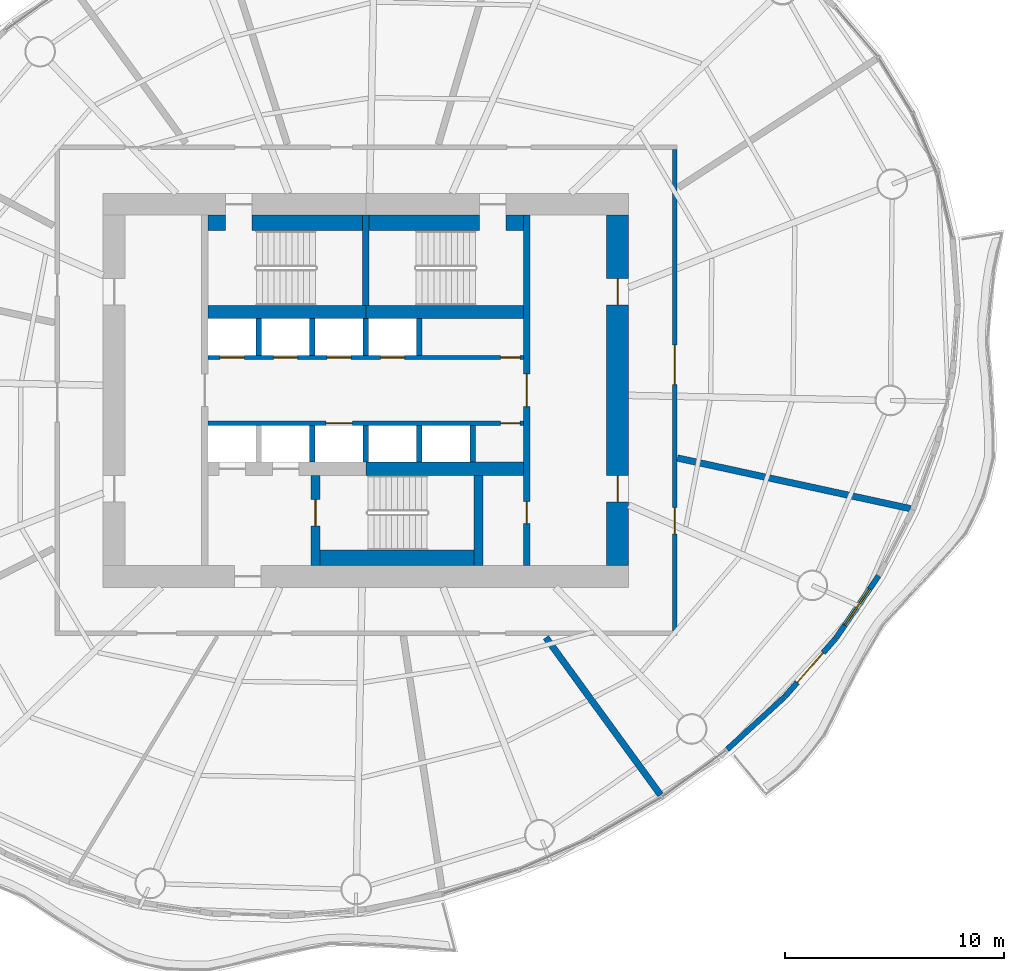
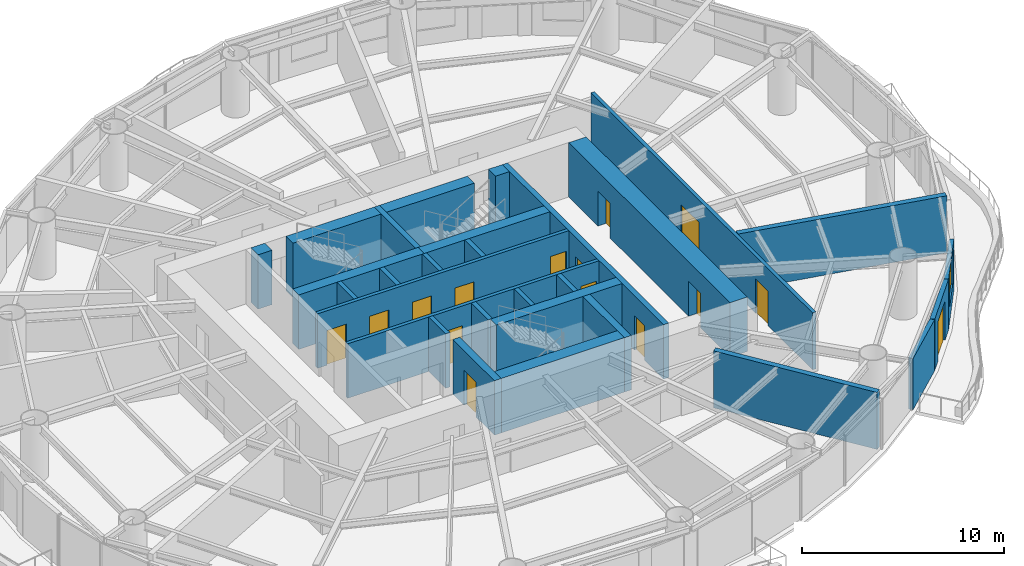
# One storey, part 9 of 14: 29 walls, 15 doors, 1 window, 16 openings.
"""IFC4 building model written with IfcOpenShell, lengths in metres."""

from ifc_helpers import new_model, si_unit, direction, frame, frame_2d, origin, place, context, subcontext, project, spatial, rectangle, extrude, material, layer, layer_set, type_object, element, fill, save


model = new_model("IFC4")

# Units and contexts
model_context = context("Model", 3, precision=1e-05, world=origin(), true_north=direction((0.0, 1.0)))
body_context = subcontext(model_context, "Body", "Model", "MODEL_VIEW")
ifc_project = project(units=[si_unit("LENGTHUNIT", "METRE"), si_unit("AREAUNIT", "SQUARE_METRE"), si_unit("VOLUMEUNIT", "CUBIC_METRE"), si_unit("PLANEANGLEUNIT", "RADIAN"), si_unit("MASSUNIT", "GRAM", prefix="KILO")], contexts=[model_context])

# Site, building, storey
site_placement = place(None, origin())
site = spatial("IfcSite", under=ifc_project, at=site_placement, CompositionType="ELEMENT")
building_placement = place(site_placement, origin())
building = spatial("IfcBuilding", under=site, at=building_placement, Name="Vermilion Reach Broadcast Tower", CompositionType="ELEMENT")
storey_placement = place(building_placement, frame((0.0, 0.0, 143.39990234375)))
storey = spatial("IfcBuildingStorey", under=building, at=storey_placement, Name="L33", CompositionType="ELEMENT", Elevation=143.39990234375)

# Wall, openings, doors
ifc_material_1 = material(Name="Concrete C70", Category="concrete")
ifc_layer_1 = layer(ifc_material_1, 0.300048828125)
ifc_layer_set_1 = layer_set([ifc_layer_1], Name="Core inner wall 300 mm Concrete C70")
wall_type_1 = type_object("IfcWallType", Name="Core inner wall 300 mm Concrete C70", PredefinedType="SHEAR", material=ifc_layer_set_1)
wall_1_placement = place(storey_placement, frame((1.35009765625, -8.0, 0.0), z_axis=(0.0, 0.0, 1.0), x_axis=(0.0, 1.0, 0.0)))
wall_1 = element("IfcWall", 1, at=wall_1_placement, inside=storey, type_object=wall_type_1, Name="L33 core wall ewE", PredefinedType="SHEAR", context=body_context, shape_type="SweptSolid", body=[
    extrude(rectangle(XDim=16.0, YDim=0.300048828125, at=frame_2d((8.0, 0.0))), origin(), (0.0, 0.0, 1.0), 3.300048828125),
])
opening_1_placement = place(wall_1_placement, frame((1.909912109375, 0.0, 0.0)))
opening_1 = element("IfcOpeningElement", 2, at=opening_1_placement, cuts=wall_1, Name="Opening D05", PredefinedType="OPENING", context=body_context, shape_type="SweptSolid", body=[
    extrude(rectangle(XDim=1.0, YDim=2.10009765625, at=frame_2d((0.5, 1.050048828125))), frame((0.0, 0.159912109375, 0.0), z_axis=(0.0, -1.0, 0.0), x_axis=(1.0, 0.0, 0.0)), (0.0, 0.0, 1.0), 0.320068359375),
])
opening_2_placement = place(wall_1_placement, frame((7.25, 0.0, 0.0)))
opening_2 = element("IfcOpeningElement", 3, at=opening_2_placement, cuts=wall_1, Name="Opening D04", PredefinedType="OPENING", context=body_context, shape_type="SweptSolid", body=[
    extrude(rectangle(XDim=1.5, YDim=2.10009765625, at=frame_2d((0.75, 1.050048828125))), frame((0.0, 0.159912109375, 0.0), z_axis=(0.0, -1.0, 0.0), x_axis=(1.0, 0.0, 0.0)), (0.0, 0.0, 1.0), 0.320068359375),
])
ifc_material_2 = material(Name="Painted steel fire door", Category="steel")
door_type_1 = type_object("IfcDoorType", Name="Lift lobby door 1500 x 2100", OperationType="DOUBLE_DOOR_SINGLE_SWING", PredefinedType="NOTDEFINED", material=ifc_material_2)
door_1_placement = place(opening_2_placement, origin())
door_1 = element("IfcDoor", 4, at=door_1_placement, inside=storey, type_object=door_type_1, Name="L33 band door BE", OperationType="DOUBLE_DOOR_SINGLE_SWING", OverallHeight=2.10009765625, OverallWidth=1.5, PredefinedType="NOTDEFINED", context=body_context, shape_type="SweptSolid", body=[
    extrude(rectangle(XDim=1.5, YDim=2.10009765625, at=frame_2d((0.75, 1.050048828125))), frame((0.0, 0.02490234375, 0.0), z_axis=(0.0, -1.0, 0.0), x_axis=(1.0, 0.0, 0.0)), (0.0, 0.0, 1.0), 0.050048828125),
])
fill(opening_2, door_1)
ifc_material_3 = material(Name="Timber door", Category="wood")
door_type_2 = type_object("IfcDoorType", Name="Room door 1000 x 2100", OperationType="NOTDEFINED", PredefinedType="NOTDEFINED", material=ifc_material_3)
door_2_placement = place(opening_1_placement, origin())
door_2 = element("IfcDoor", 5, at=door_2_placement, inside=storey, type_object=door_type_2, Name="L33 door SER", OperationType="SINGLE_SWING_LEFT", OverallHeight=2.10009765625, OverallWidth=1.0, PredefinedType="NOTDEFINED", context=body_context, shape_type="SweptSolid", body=[
    extrude(rectangle(XDim=1.0, YDim=2.10009765625, at=frame_2d((0.5, 1.050048828125))), frame((0.0, 0.02490234375, 0.0), z_axis=(0.0, -1.0, 0.0), x_axis=(1.0, 0.0, 0.0)), (0.0, 0.0, 1.0), 0.050048828125),
])
fill(opening_1, door_2)

# Wall
wall_2_placement = place(storey_placement, frame((-6.0, 3.8798828125, 0.0), z_axis=(0.0, 0.0, 1.0), x_axis=(0.0, 1.0, 0.0)))
element("IfcWall", 6, at=wall_2_placement, inside=storey, type_object=wall_type_1, Name="L33 core wall wc", PredefinedType="SHEAR", context=body_context, shape_type="SweptSolid", body=[
    extrude(rectangle(XDim=4.1201171875, YDim=0.300048828125, at=frame_2d((2.06005859375, 0.0))), origin(), (0.0, 0.0, 1.0), 3.300048828125),
])

# Wall, opening, door
ifc_material_4 = material(Name="Concrete C70", Category="concrete")
ifc_layer_2 = layer(ifc_material_4, 0.39990234375)
ifc_layer_set_2 = layer_set([ifc_layer_2], Name="Core inner wall 400 mm Concrete C70")
wall_type_2 = type_object("IfcWallType", Name="Core inner wall 400 mm Concrete C70", PredefinedType="SHEAR", material=ifc_layer_set_2)
wall_3_placement = place(storey_placement, frame((-8.300048828125, -3.8798828125, 0.0), z_axis=(0.0, 0.0, 1.0), x_axis=(0.0, -1.0, 0.0)))
wall_3 = element("IfcWall", 7, at=wall_3_placement, inside=storey, type_object=wall_type_2, Name="L33 core wall wa", PredefinedType="SHEAR", context=body_context, shape_type="SweptSolid", body=[
    extrude(rectangle(XDim=4.1201171875, YDim=0.39990234375, at=frame_2d((2.06005859375, 0.0))), origin(), (0.0, 0.0, 1.0), 3.300048828125),
])
opening_3_placement = place(wall_3_placement, frame((1.110107421875, 0.0, 0.0)))
opening_3 = element("IfcOpeningElement", 8, at=opening_3_placement, cuts=wall_3, Name="Opening D01", PredefinedType="OPENING", context=body_context, shape_type="SweptSolid", body=[
    extrude(rectangle(XDim=1.199951171875, YDim=2.10009765625, at=frame_2d((0.60009765625, 1.050048828125))), frame((0.0, 0.2099609375, 0.0), z_axis=(0.0, -1.0, 0.0), x_axis=(1.0, 0.0, 0.0)), (0.0, 0.0, 1.0), 0.419921875),
])
ifc_material_5 = material(Name="Painted steel fire door", Category="steel")
door_type_3 = type_object("IfcDoorType", Name="Stair door 1200 x 2100", OperationType="DOUBLE_DOOR_SINGLE_SWING", PredefinedType="NOTDEFINED", material=ifc_material_5)
door_3_placement = place(opening_3_placement, origin())
door_3 = element("IfcDoor", 9, at=door_3_placement, inside=storey, type_object=door_type_3, Name="L33 stair door ST3", OperationType="DOUBLE_DOOR_SINGLE_SWING", OverallHeight=2.10009765625, OverallWidth=1.199951171875, PredefinedType="NOTDEFINED", context=body_context, shape_type="SweptSolid", body=[
    extrude(rectangle(XDim=1.199951171875, YDim=2.10009765625, at=frame_2d((0.60009765625, 1.050048828125))), frame((0.0, 0.02490234375, 0.0), z_axis=(0.0, -1.0, 0.0), x_axis=(1.0, 0.0, 0.0)), (0.0, 0.0, 1.0), 0.050048828125),
])
fill(opening_3, door_3)

# Walls
wall_4_placement = place(storey_placement, frame((-0.85009765625, -3.8798828125, 0.0), z_axis=(0.0, 0.0, 1.0), x_axis=(0.0, -1.0, 0.0)))
element("IfcWall", 10, at=wall_4_placement, inside=storey, type_object=wall_type_2, Name="L33 core wall wb", PredefinedType="SHEAR", context=body_context, shape_type="SweptSolid", body=[
    extrude(rectangle(XDim=4.1201171875, YDim=0.39990234375, at=frame_2d((2.06005859375, 0.0))), origin(), (0.0, 0.0, 1.0), 3.300048828125),
])
ifc_material_6 = material(Name="Concrete C70", Category="concrete")
ifc_layer_3 = layer(ifc_material_6, 0.60009765625)
ifc_layer_set_3 = layer_set([ifc_layer_3], Name="Core inner wall 600 mm Concrete C70")
wall_type_3 = type_object("IfcWallType", Name="Core inner wall 600 mm Concrete C70", PredefinedType="SHEAR", material=ifc_layer_set_3)
for number, where, z_axis, x_axis, name in (
    (11, (-13.199951171875, 3.580078125, 0.0), (0.0, 0.0, 1.0), (1.0, 0.0, 0.0), "L33 core wall winW"),
    (12, (-6.0, 3.580078125, 0.0), (0.0, 0.0, 1.0), (1.0, 0.0, 0.0), "L33 core wall winE"),
    (13, (-6.0, -3.580078125, 0.0), (0.0, 0.0, 1.0), (1.0, 0.0, 0.0), "L33 core wall wisE"),
):
    element("IfcWall", number, at=place(storey_placement, frame(where, z_axis=z_axis, x_axis=x_axis)), inside=storey, type_object=wall_type_3, Name=name, PredefinedType="SHEAR", context=body_context, shape_type="SweptSolid", body=[
        extrude(rectangle(XDim=7.199951171875, YDim=0.60009765625, at=frame_2d((3.60009765625, 0.0))), origin(), (0.0, 0.0, 1.0), 3.300048828125),
    ])

# Wall, openings, doors
ifc_material_7 = material(Name="Concrete C70", Category="concrete")
ifc_layer_4 = layer(ifc_material_7, 1.0)
ifc_layer_set_4 = layer_set([ifc_layer_4], Name="Core outer wall 1000 mm Concrete C70")
wall_type_4 = type_object("IfcWallType", Name="Core outer wall 1000 mm Concrete C70", PredefinedType="SHEAR", material=ifc_layer_set_4)
wall_5_placement = place(storey_placement, frame((5.5, -8.0, 0.0), z_axis=(0.0, 0.0, 1.0), x_axis=(0.0, 1.0, 0.0)))
wall_5 = element("IfcWall", 14, at=wall_5_placement, inside=storey, type_object=wall_type_4, Name="L33 core wall oe", PredefinedType="SHEAR", context=body_context, shape_type="SweptSolid", body=[
    extrude(rectangle(XDim=16.0, YDim=1.0, at=frame_2d((8.0, 0.0))), origin(), (0.0, 0.0, 1.0), 3.300048828125),
])
opening_4_placement = place(wall_5_placement, frame((2.89990234375, 0.0, 0.0)))
opening_4 = element("IfcOpeningElement", 15, at=opening_4_placement, cuts=wall_5, Name="Opening D03", PredefinedType="OPENING", context=body_context, shape_type="SweptSolid", body=[
    extrude(rectangle(XDim=1.199951171875, YDim=2.10009765625, at=frame_2d((0.60009765625, 1.050048828125))), frame((0.0, 0.510009765625, 0.0), z_axis=(0.0, -1.0, 0.0), x_axis=(1.0, 0.0, 0.0)), (0.0, 0.0, 1.0), 1.02001953125),
])
opening_5_placement = place(wall_5_placement, frame((11.89990234375, 0.0, 0.0)))
opening_5 = element("IfcOpeningElement", 16, at=opening_5_placement, cuts=wall_5, Name="Opening D03", PredefinedType="OPENING", context=body_context, shape_type="SweptSolid", body=[
    extrude(rectangle(XDim=1.199951171875, YDim=2.10009765625, at=frame_2d((0.60009765625, 1.050048828125))), frame((0.0, 0.510009765625, 0.0), z_axis=(0.0, -1.0, 0.0), x_axis=(1.0, 0.0, 0.0)), (0.0, 0.0, 1.0), 1.02001953125),
])
ifc_material_8 = material(Name="Painted steel fire door", Category="steel")
door_type_4 = type_object("IfcDoorType", Name="Core lobby door 1200 x 2100", OperationType="DOUBLE_DOOR_SINGLE_SWING", PredefinedType="NOTDEFINED", material=ifc_material_8)
door_4_placement = place(opening_4_placement, origin())
door_4 = element("IfcDoor", 17, at=door_4_placement, inside=storey, type_object=door_type_4, Name="L33 slot door E0", OperationType="DOUBLE_DOOR_SINGLE_SWING", OverallHeight=2.10009765625, OverallWidth=1.199951171875, PredefinedType="NOTDEFINED", context=body_context, shape_type="SweptSolid", body=[
    extrude(rectangle(XDim=1.199951171875, YDim=2.10009765625, at=frame_2d((0.60009765625, 1.050048828125))), frame((0.0, 0.02490234375, 0.0), z_axis=(0.0, -1.0, 0.0), x_axis=(1.0, 0.0, 0.0)), (0.0, 0.0, 1.0), 0.050048828125),
])
fill(opening_4, door_4)
door_5_placement = place(opening_5_placement, origin())
door_5 = element("IfcDoor", 18, at=door_5_placement, inside=storey, type_object=door_type_4, Name="L33 slot door E1", OperationType="DOUBLE_DOOR_SINGLE_SWING", OverallHeight=2.10009765625, OverallWidth=1.199951171875, PredefinedType="NOTDEFINED", context=body_context, shape_type="SweptSolid", body=[
    extrude(rectangle(XDim=1.199951171875, YDim=2.10009765625, at=frame_2d((0.60009765625, 1.050048828125))), frame((0.0, 0.02490234375, 0.0), z_axis=(0.0, -1.0, 0.0), x_axis=(1.0, 0.0, 0.0)), (0.0, 0.0, 1.0), 0.050048828125),
])
fill(opening_5, door_5)

ifc_material_9 = material(Name="Concrete C50", Category="concrete")
ifc_layer_5 = layer(ifc_material_9, 0.199951171875)
ifc_layer_set_5 = layer_set([ifc_layer_5], Name="Core shaft wall 200 mm Concrete C50")
wall_type_5 = type_object("IfcWallType", Name="Core shaft wall 200 mm Concrete C50", PredefinedType="SHEAR", material=ifc_layer_set_5)
wall_6_placement = place(storey_placement, frame((-13.199951171875, 1.5, 0.0), z_axis=(0.0, 0.0, 1.0), x_axis=(1.0, 0.0, 0.0)))
wall_6 = element("IfcWall", 19, at=wall_6_placement, inside=storey, type_object=wall_type_5, Name="L33 core wall fn", PredefinedType="SHEAR", context=body_context, shape_type="SweptSolid", body=[
    extrude(rectangle(XDim=14.39990234375, YDim=0.199951171875, at=frame_2d((7.199951171875, 0.0))), origin(), (0.0, 0.0, 1.0), 3.300048828125),
])
opening_6_placement = place(wall_6_placement, frame((0.5458984375, 0.0, 0.0)))
opening_6 = element("IfcOpeningElement", 20, at=opening_6_placement, cuts=wall_6, Name="Opening LD2", PredefinedType="OPENING", context=body_context, shape_type="SweptSolid", body=[
    extrude(rectangle(XDim=1.10009765625, YDim=2.10009765625, at=frame_2d((0.550048828125, 1.050048828125))), frame((0.0, 0.10986328125, 0.0), z_axis=(0.0, -1.0, 0.0), x_axis=(1.0, 0.0, 0.0)), (0.0, 0.0, 1.0), 0.219970703125),
])
opening_7_placement = place(wall_6_placement, frame((2.987548828125, 0.0, 0.0)))
opening_7 = element("IfcOpeningElement", 21, at=opening_7_placement, cuts=wall_6, Name="Opening LD2", PredefinedType="OPENING", context=body_context, shape_type="SweptSolid", body=[
    extrude(rectangle(XDim=1.10009765625, YDim=2.10009765625, at=frame_2d((0.550048828125, 1.050048828125))), frame((0.0, 0.10986328125, 0.0), z_axis=(0.0, -1.0, 0.0), x_axis=(1.0, 0.0, 0.0)), (0.0, 0.0, 1.0), 0.219970703125),
])
opening_8_placement = place(wall_6_placement, frame((5.42919921875, 0.0, 0.0)))
opening_8 = element("IfcOpeningElement", 22, at=opening_8_placement, cuts=wall_6, Name="Opening LD2", PredefinedType="OPENING", context=body_context, shape_type="SweptSolid", body=[
    extrude(rectangle(XDim=1.10009765625, YDim=2.10009765625, at=frame_2d((0.550048828125, 1.050048828125))), frame((0.0, 0.10986328125, 0.0), z_axis=(0.0, -1.0, 0.0), x_axis=(1.0, 0.0, 0.0)), (0.0, 0.0, 1.0), 0.219970703125),
])
opening_9_placement = place(wall_6_placement, frame((7.870849609375, 0.0, 0.0)))
opening_9 = element("IfcOpeningElement", 23, at=opening_9_placement, cuts=wall_6, Name="Opening LD2", PredefinedType="OPENING", context=body_context, shape_type="SweptSolid", body=[
    extrude(rectangle(XDim=1.10009765625, YDim=2.10009765625, at=frame_2d((0.550048828125, 1.050048828125))), frame((0.0, 0.10986328125, 0.0), z_axis=(0.0, -1.0, 0.0), x_axis=(1.0, 0.0, 0.0)), (0.0, 0.0, 1.0), 0.219970703125),
])
opening_10_placement = place(wall_6_placement, frame((13.35009765625, 0.0, 0.0)))
opening_10 = element("IfcOpeningElement", 24, at=opening_10_placement, cuts=wall_6, Name="Opening D06", PredefinedType="OPENING", context=body_context, shape_type="SweptSolid", body=[
    extrude(rectangle(XDim=0.89990234375, YDim=2.10009765625, at=frame_2d((0.449951171875, 1.050048828125))), frame((0.0, 0.10986328125, 0.0), z_axis=(0.0, -1.0, 0.0), x_axis=(1.0, 0.0, 0.0)), (0.0, 0.0, 1.0), 0.219970703125),
])
ifc_material_10 = material(Name="Stainless steel", Category="steel")
door_type_5 = type_object("IfcDoorType", Name="Landing door 1100 x 2100", OperationType="DOUBLE_DOOR_SLIDING", PredefinedType="NOTDEFINED", material=ifc_material_10)
door_6_placement = place(opening_6_placement, origin())
door_6 = element("IfcDoor", 25, at=door_6_placement, inside=storey, type_object=door_type_5, Name="L33 landing door LR1", OperationType="DOUBLE_DOOR_SLIDING", OverallHeight=2.10009765625, OverallWidth=1.10009765625, PredefinedType="NOTDEFINED", context=body_context, shape_type="SweptSolid", body=[
    extrude(rectangle(XDim=1.10009765625, YDim=2.10009765625, at=frame_2d((0.550048828125, 1.050048828125))), frame((0.0, 0.02490234375, 0.0), z_axis=(0.0, -1.0, 0.0), x_axis=(1.0, 0.0, 0.0)), (0.0, 0.0, 1.0), 0.050048828125),
])
fill(opening_6, door_6)
door_7_placement = place(opening_7_placement, origin())
door_7 = element("IfcDoor", 26, at=door_7_placement, inside=storey, type_object=door_type_5, Name="L33 landing door LR2", OperationType="DOUBLE_DOOR_SLIDING", OverallHeight=2.10009765625, OverallWidth=1.10009765625, PredefinedType="NOTDEFINED", context=body_context, shape_type="SweptSolid", body=[
    extrude(rectangle(XDim=1.10009765625, YDim=2.10009765625, at=frame_2d((0.550048828125, 1.050048828125))), frame((0.0, 0.02490234375, 0.0), z_axis=(0.0, -1.0, 0.0), x_axis=(1.0, 0.0, 0.0)), (0.0, 0.0, 1.0), 0.050048828125),
])
fill(opening_7, door_7)
door_8_placement = place(opening_8_placement, origin())
door_8 = element("IfcDoor", 27, at=door_8_placement, inside=storey, type_object=door_type_5, Name="L33 landing door LR3", OperationType="DOUBLE_DOOR_SLIDING", OverallHeight=2.10009765625, OverallWidth=1.10009765625, PredefinedType="NOTDEFINED", context=body_context, shape_type="SweptSolid", body=[
    extrude(rectangle(XDim=1.10009765625, YDim=2.10009765625, at=frame_2d((0.550048828125, 1.050048828125))), frame((0.0, 0.02490234375, 0.0), z_axis=(0.0, -1.0, 0.0), x_axis=(1.0, 0.0, 0.0)), (0.0, 0.0, 1.0), 0.050048828125),
])
fill(opening_8, door_8)
door_9_placement = place(opening_9_placement, origin())
door_9 = element("IfcDoor", 28, at=door_9_placement, inside=storey, type_object=door_type_5, Name="L33 landing door LR4", OperationType="DOUBLE_DOOR_SLIDING", OverallHeight=2.10009765625, OverallWidth=1.10009765625, PredefinedType="NOTDEFINED", context=body_context, shape_type="SweptSolid", body=[
    extrude(rectangle(XDim=1.10009765625, YDim=2.10009765625, at=frame_2d((0.550048828125, 1.050048828125))), frame((0.0, 0.02490234375, 0.0), z_axis=(0.0, -1.0, 0.0), x_axis=(1.0, 0.0, 0.0)), (0.0, 0.0, 1.0), 0.050048828125),
])
fill(opening_9, door_9)
ifc_material_11 = material(Name="Timber door", Category="wood")
door_type_6 = type_object("IfcDoorType", Name="WC door 900 x 2100", OperationType="NOTDEFINED", PredefinedType="NOTDEFINED", material=ifc_material_11)
door_10_placement = place(opening_10_placement, origin())
door_10 = element("IfcDoor", 29, at=door_10_placement, inside=storey, type_object=door_type_6, Name="L33 door Female WC", OperationType="SINGLE_SWING_RIGHT", OverallHeight=2.10009765625, OverallWidth=0.89990234375, PredefinedType="NOTDEFINED", context=body_context, shape_type="SweptSolid", body=[
    extrude(rectangle(XDim=0.89990234375, YDim=2.10009765625, at=frame_2d((0.449951171875, 1.050048828125))), frame((0.0, 0.02490234375, 0.0), z_axis=(0.0, -1.0, 0.0), x_axis=(1.0, 0.0, 0.0)), (0.0, 0.0, 1.0), 0.050048828125),
])
fill(opening_10, door_10)

wall_7_placement = place(storey_placement, frame((1.199951171875, -1.5, 0.0), z_axis=(0.0, 0.0, 1.0), x_axis=(-1.0, 0.0, 0.0)))
wall_7 = element("IfcWall", 30, at=wall_7_placement, inside=storey, type_object=wall_type_5, Name="L33 core wall fs", PredefinedType="SHEAR", context=body_context, shape_type="SweptSolid", body=[
    extrude(rectangle(XDim=14.39990234375, YDim=0.199951171875, at=frame_2d((7.199951171875, 0.0))), origin(), (0.0, 0.0, 1.0), 3.300048828125),
])
opening_11_placement = place(wall_7_placement, frame((7.82080078125, 0.0, 0.0)))
opening_11 = element("IfcOpeningElement", 31, at=opening_11_placement, cuts=wall_7, Name="Opening LD1", PredefinedType="OPENING", context=body_context, shape_type="SweptSolid", body=[
    extrude(rectangle(XDim=1.199951171875, YDim=2.10009765625, at=frame_2d((0.60009765625, 1.050048828125))), frame((0.0, 0.10986328125, 0.0), z_axis=(0.0, -1.0, 0.0), x_axis=(1.0, 0.0, 0.0)), (0.0, 0.0, 1.0), 0.219970703125),
])
opening_12_placement = place(wall_7_placement, frame((0.14990234375, 0.0, 0.0)))
opening_12 = element("IfcOpeningElement", 32, at=opening_12_placement, cuts=wall_7, Name="Opening D06", PredefinedType="OPENING", context=body_context, shape_type="SweptSolid", body=[
    extrude(rectangle(XDim=0.89990234375, YDim=2.10009765625, at=frame_2d((0.449951171875, 1.050048828125))), frame((0.0, 0.10986328125, 0.0), z_axis=(0.0, -1.0, 0.0), x_axis=(1.0, 0.0, 0.0)), (0.0, 0.0, 1.0), 0.219970703125),
])
ifc_material_12 = material(Name="Stainless steel", Category="steel")
door_type_7 = type_object("IfcDoorType", Name="Landing door 1200 x 2100", OperationType="DOUBLE_DOOR_SLIDING", PredefinedType="NOTDEFINED", material=ifc_material_12)
door_11_placement = place(opening_11_placement, origin())
door_11 = element("IfcDoor", 33, at=door_11_placement, inside=storey, type_object=door_type_7, Name="L33 landing door SV1", OperationType="DOUBLE_DOOR_SLIDING", OverallHeight=2.10009765625, OverallWidth=1.199951171875, PredefinedType="NOTDEFINED", context=body_context, shape_type="SweptSolid", body=[
    extrude(rectangle(XDim=1.199951171875, YDim=2.10009765625, at=frame_2d((0.60009765625, 1.050048828125))), frame((0.0, 0.02490234375, 0.0), z_axis=(0.0, -1.0, 0.0), x_axis=(1.0, 0.0, 0.0)), (0.0, 0.0, 1.0), 0.050048828125),
])
fill(opening_11, door_11)
door_12_placement = place(opening_12_placement, origin())
door_12 = element("IfcDoor", 34, at=door_12_placement, inside=storey, type_object=door_type_6, Name="L33 door Male WC", OperationType="SINGLE_SWING_LEFT", OverallHeight=2.10009765625, OverallWidth=0.89990234375, PredefinedType="NOTDEFINED", context=body_context, shape_type="SweptSolid", body=[
    extrude(rectangle(XDim=0.89990234375, YDim=2.10009765625, at=frame_2d((0.449951171875, 1.050048828125))), frame((0.0, 0.02490234375, 0.0), z_axis=(0.0, -1.0, 0.0), x_axis=(1.0, 0.0, 0.0)), (0.0, 0.0, 1.0), 0.050048828125),
])
fill(opening_12, door_12)

# Walls
ifc_material_13 = material(Name="Concrete C50", Category="concrete")
ifc_layer_6 = layer(ifc_material_13, 0.25)
ifc_layer_set_6 = layer_set([ifc_layer_6], Name="Core shaft wall 250 mm Concrete C50")
wall_type_6 = type_object("IfcWallType", Name="Core shaft wall 250 mm Concrete C50", PredefinedType="SHEAR", material=ifc_layer_set_6)
for number, where, z_axis, x_axis, name in (
    (35, (-10.88330078125, 1.60009765625, 0.0), (0.0, 0.0, 1.0), (0.0, 1.0, 0.0), "L33 core wall psN0"),
    (36, (-8.441650390625, 1.60009765625, 0.0), (0.0, 0.0, 1.0), (0.0, 1.0, 0.0), "L33 core wall psN1"),
    (37, (-6.0, 1.60009765625, 0.0), (0.0, 0.0, 1.0), (0.0, 1.0, 0.0), "L33 core wall psN2"),
    (38, (-3.558349609375, 1.60009765625, 0.0), (0.0, 0.0, 1.0), (0.0, 1.0, 0.0), "L33 core wall psN3"),
    (39, (-8.441650390625, -1.60009765625, 0.0), (0.0, 0.0, 1.0), (0.0, -1.0, 0.0), "L33 core wall psS1"),
    (40, (-6.0, -1.60009765625, 0.0), (0.0, 0.0, 1.0), (0.0, -1.0, 0.0), "L33 core wall psS2"),
    (41, (-3.558349609375, -1.60009765625, 0.0), (0.0, 0.0, 1.0), (0.0, -1.0, 0.0), "L33 core wall psS3"),
    (42, (-1.11669921875, -1.60009765625, 0.0), (0.0, 0.0, 1.0), (0.0, -1.0, 0.0), "L33 core wall psS4"),
):
    element("IfcWall", number, at=place(storey_placement, frame(where, z_axis=z_axis, x_axis=x_axis)), inside=storey, type_object=wall_type_6, Name=name, PredefinedType="SHEAR", context=body_context, shape_type="SweptSolid", body=[
        extrude(rectangle(XDim=1.679931640625, YDim=0.25, at=frame_2d((0.83984375, 0.0))), origin(), (0.0, 0.0, 1.0), 3.300048828125),
    ])
ifc_material_14 = material(Name="Concrete C70", Category="concrete")
ifc_layer_7 = layer(ifc_material_14, 0.699951171875)
ifc_layer_set_7 = layer_set([ifc_layer_7], Name="Core stair wall 700 mm Concrete C70")
wall_type_7 = type_object("IfcWallType", Name="Core stair wall 700 mm Concrete C70", PredefinedType="SHEAR", material=ifc_layer_set_7)
wall_8_placement = place(storey_placement, frame((-13.199951171875, 7.64990234375, 0.0), z_axis=(0.0, 0.0, 1.0), x_axis=(1.0, 0.0, 0.0)))
element("IfcWall", 43, at=wall_8_placement, inside=storey, type_object=wall_type_7, Name="L33 core wall l1a", PredefinedType="SHEAR", context=body_context, shape_type="SweptSolid", body=[
    extrude(rectangle(XDim=0.800048828125, YDim=0.699951171875, at=frame_2d((0.39990234375, 0.0))), origin(), (0.0, 0.0, 1.0), 3.300048828125),
])
for number, where, z_axis, x_axis, name in (
    (44, (-11.199951171875, 7.64990234375, 0.0), (0.0, 0.0, 1.0), (1.0, 0.0, 0.0), "L33 core wall l1b"),
    (45, (-5.85009765625, 7.64990234375, 0.0), (0.0, 0.0, 1.0), (1.0, 0.0, 0.0), "L33 core wall l2a"),
):
    element("IfcWall", number, at=place(storey_placement, frame(where, z_axis=z_axis, x_axis=x_axis)), inside=storey, type_object=wall_type_7, Name=name, PredefinedType="SHEAR", context=body_context, shape_type="SweptSolid", body=[
        extrude(rectangle(XDim=5.050048828125, YDim=0.699951171875, at=frame_2d((2.52490234375, 0.0))), origin(), (0.0, 0.0, 1.0), 3.300048828125),
    ])
wall_9_placement = place(storey_placement, frame((0.39990234375, 7.64990234375, 0.0), z_axis=(0.0, 0.0, 1.0), x_axis=(1.0, 0.0, 0.0)))
element("IfcWall", 46, at=wall_9_placement, inside=storey, type_object=wall_type_7, Name="L33 core wall l2b", PredefinedType="SHEAR", context=body_context, shape_type="SweptSolid", body=[
    extrude(rectangle(XDim=0.800048828125, YDim=0.699951171875, at=frame_2d((0.39990234375, 0.0))), origin(), (0.0, 0.0, 1.0), 3.300048828125),
])
wall_10_placement = place(storey_placement, frame((-8.10009765625, -7.64990234375, 0.0), z_axis=(0.0, 0.0, 1.0), x_axis=(1.0, 0.0, 0.0)))
element("IfcWall", 47, at=wall_10_placement, inside=storey, type_object=wall_type_7, Name="L33 core wall l3", PredefinedType="SHEAR", context=body_context, shape_type="SweptSolid", body=[
    extrude(rectangle(XDim=7.050048828125, YDim=0.699951171875, at=frame_2d((3.52490234375, 0.0))), origin(), (0.0, 0.0, 1.0), 3.300048828125),
])

# Wall, openings, doors
ifc_material_15 = material(Name="Fire-rated gypsum board partition")
ifc_layer_8 = layer(ifc_material_15, 0.199951171875)
ifc_layer_set_8 = layer_set([ifc_layer_8], Name="Corridor wall 200 fire-rated")
wall_type_8 = type_object("IfcWallType", Name="Corridor wall 200 fire-rated", PredefinedType="PARTITIONING", material=ifc_layer_set_8)
wall_11_placement = place(storey_placement, frame((8.10009765625, 11.0, 0.0), z_axis=(0.0, 0.0, 1.0), x_axis=(0.0, -1.0, 0.0)))
wall_11 = element("IfcWall", 48, at=wall_11_placement, inside=storey, type_object=wall_type_8, Name="Corridor wall 33.E", PredefinedType="PARTITIONING", context=body_context, shape_type="SweptSolid", body=[
    extrude(rectangle(XDim=22.0, YDim=0.199951171875, at=frame_2d((11.0, 0.0))), origin(), (0.0, 0.0, 1.0), 3.4501953125),
])
opening_13_placement = place(wall_11_placement, frame((16.36083984375, 0.0, 0.0)))
opening_13 = element("IfcOpeningElement", 49, at=opening_13_placement, cuts=wall_11, Name="Opening D26", PredefinedType="OPENING", context=body_context, shape_type="SweptSolid", body=[
    extrude(rectangle(XDim=1.199951171875, YDim=2.10009765625, at=frame_2d((0.60009765625, 1.050048828125))), frame((0.0, 0.10986328125, 0.0), z_axis=(0.0, -1.0, 0.0), x_axis=(1.0, 0.0, 0.0)), (0.0, 0.0, 1.0), 0.219970703125),
])
opening_14_placement = place(wall_11_placement, frame((8.935302734375, 0.0, 0.0)))
opening_14 = element("IfcOpeningElement", 50, at=opening_14_placement, cuts=wall_11, Name="Opening D21", PredefinedType="OPENING", context=body_context, shape_type="SweptSolid", body=[
    extrude(rectangle(XDim=1.800048828125, YDim=2.10009765625, at=frame_2d((0.89990234375, 1.050048828125))), frame((0.0, 0.10986328125, 0.0), z_axis=(0.0, -1.0, 0.0), x_axis=(1.0, 0.0, 0.0)), (0.0, 0.0, 1.0), 0.219970703125),
])
ifc_material_16 = material(Name="Timber door leaf", Category="wood")
door_type_8 = type_object("IfcDoorType", Name="Door pair 1800x2100", OperationType="NOTDEFINED", PredefinedType="DOOR", material=ifc_material_16)
door_13_placement = place(opening_14_placement, origin())
door_13 = element("IfcDoor", 51, at=door_13_placement, inside=storey, type_object=door_type_8, Name="Door 33.11", OperationType="DOUBLE_DOOR_SINGLE_SWING", OverallHeight=2.10009765625, OverallWidth=1.800048828125, PredefinedType="DOOR", context=body_context, shape_type="SweptSolid", body=[
    extrude(rectangle(XDim=1.800048828125, YDim=2.10009765625, at=frame_2d((0.89990234375, 1.050048828125))), frame((0.0, 0.02490234375, 0.0), z_axis=(0.0, -1.0, 0.0), x_axis=(1.0, 0.0, 0.0)), (0.0, 0.0, 1.0), 0.050048828125),
])
fill(opening_14, door_13)
ifc_material_17 = material(Name="Acoustic timber door leaf", Category="wood")
door_type_9 = type_object("IfcDoorType", Name="Door single 1200x2100", OperationType="NOTDEFINED", PredefinedType="DOOR", material=ifc_material_17)
door_14_placement = place(opening_13_placement, origin())
door_14 = element("IfcDoor", 52, at=door_14_placement, inside=storey, type_object=door_type_9, Name="Door 33.10", OperationType="SINGLE_SWING_LEFT", OverallHeight=2.10009765625, OverallWidth=1.199951171875, PredefinedType="DOOR", context=body_context, shape_type="SweptSolid", body=[
    extrude(rectangle(XDim=1.199951171875, YDim=2.10009765625, at=frame_2d((0.60009765625, 1.050048828125))), frame((0.0, 0.02490234375, 0.0), z_axis=(0.0, -1.0, 0.0), x_axis=(1.0, 0.0, 0.0)), (0.0, 0.0, 1.0), 0.050048828125),
])
fill(opening_13, door_14)

# Walls
ifc_material_18 = material(Name="Double-leaf plasterboard on isolated steel stud", Category="steel")
ifc_layer_9 = layer(ifc_material_18, 0.300048828125)
ifc_layer_set_9 = layer_set([ifc_layer_9], Name="Partition 300 acoustic double leaf")
wall_type_9 = type_object("IfcWallType", Name="Partition 300 acoustic double leaf", PredefinedType="PARTITIONING", material=ifc_layer_set_9)
wall_12_placement = place(storey_placement, frame((7.456298828125, -18.478515625, 0.0), z_axis=(0.0, 0.0, 1.0), x_axis=(-0.588675883511, 0.808369163299, 0.0)))
element("IfcWall", 53, at=wall_12_placement, inside=storey, type_object=wall_type_9, Name="Partition 33.10", PredefinedType="PARTITIONING", context=body_context, shape_type="SweptSolid", body=[
    extrude(rectangle(XDim=8.894775390625, YDim=0.300048828125, at=frame_2d((4.447265625, 0.0))), origin(), (0.0, 0.0, 1.0), 3.4501953125),
])
wall_13_placement = place(storey_placement, frame((18.870361328125, -5.406494140625, 0.0), z_axis=(0.0, 0.0, 1.0), x_axis=(-0.977175554344, 0.21243336836, 0.0)))
element("IfcWall", 54, at=wall_13_placement, inside=storey, type_object=wall_type_9, Name="Partition 33.11", PredefinedType="PARTITIONING", context=body_context, shape_type="SweptSolid", body=[
    extrude(rectangle(XDim=10.886962890625, YDim=0.300048828125, at=frame_2d((5.443359375, 0.0))), origin(), (0.0, 0.0, 1.0), 3.4501953125),
])
ifc_material_19 = material(Name="Terracotta rainscreen cladding", Category="masonry")
ifc_layer_10 = layer(ifc_material_19, 0.25)
ifc_layer_set_10 = layer_set([ifc_layer_10], Name="Terracotta rainscreen wall 250")
wall_type_10 = type_object("IfcWallType", Name="Terracotta rainscreen wall 250", PredefinedType="SOLIDWALL", material=ifc_layer_set_10)
wall_14_placement = place(storey_placement, frame((10.509033203125, -16.396484375, 0.0), z_axis=(0.0, 0.0, 1.0), x_axis=(0.738164269097, 0.67462101348, 0.0)))
element("IfcWall", 55, at=wall_14_placement, inside=storey, type_object=wall_type_10, Name="External wall L33 38", PredefinedType="SOLIDWALL", context=body_context, shape_type="SweptSolid", body=[
    extrude(rectangle(XDim=3.53857421875, YDim=0.25, at=frame_2d((1.769287109375, 0.0))), origin(), (0.0, 0.0, 1.0), 3.10009765625),
])

# Wall, opening, door
wall_15_placement = place(storey_placement, frame((13.136474609375, -13.993408203125, 0.0), z_axis=(0.0, 0.0, 1.0), x_axis=(0.657606469368, 0.753361620634, 0.0)))
wall_15 = element("IfcWall", 56, at=wall_15_placement, inside=storey, type_object=wall_type_10, Name="External wall L33 39", PredefinedType="SOLIDWALL", context=body_context, shape_type="SweptSolid", body=[
    extrude(rectangle(XDim=3.523681640625, YDim=0.25, at=frame_2d((1.76171875, 0.0))), origin(), (0.0, 0.0, 1.0), 3.10009765625),
])
opening_15_placement = place(wall_15_placement, frame((0.862060546875, 0.0, 0.0)))
opening_15 = element("IfcOpeningElement", 57, at=opening_15_placement, cuts=wall_15, Name="Opening D70", PredefinedType="OPENING", context=body_context, shape_type="SweptSolid", body=[
    extrude(rectangle(XDim=1.800048828125, YDim=2.39990234375, at=frame_2d((0.89990234375, 1.199951171875))), frame((0.0, 0.135009765625, 0.0), z_axis=(0.0, -1.0, 0.0), x_axis=(1.0, 0.0, 0.0)), (0.0, 0.0, 1.0), 0.27001953125),
])
ifc_material_20 = material(Name="Low-e laminated clear glass in aluminium frame", Category="aluminium")
door_type_10 = type_object("IfcDoorType", Name="Balcony sliding door 1800 x 2400", OperationType="DOUBLE_DOOR_SLIDING", PredefinedType="DOOR", material=ifc_material_20)
door_15_placement = place(opening_15_placement, origin())
door_15 = element("IfcDoor", 58, at=door_15_placement, inside=storey, type_object=door_type_10, Name="Balcony door L33 run 10", OperationType="DOUBLE_DOOR_SLIDING", OverallHeight=2.39990234375, OverallWidth=1.800048828125, PredefinedType="DOOR", context=body_context, shape_type="SweptSolid", body=[
    extrude(rectangle(XDim=1.800048828125, YDim=2.39990234375, at=frame_2d((0.89990234375, 1.199951171875))), frame((0.0, 0.02490234375, 0.0), z_axis=(0.0, -1.0, 0.0), x_axis=(1.0, 0.0, 0.0)), (0.0, 0.0, 1.0), 0.050048828125),
])
fill(opening_15, door_15)

# Wall, opening, window
wall_16_placement = place(storey_placement, frame((15.467529296875, -11.321044921875, 0.0), z_axis=(0.0, 0.0, 1.0), x_axis=(0.565221630216, 0.824939093956, 0.0)))
wall_16 = element("IfcWall", 59, at=wall_16_placement, inside=storey, type_object=wall_type_10, Name="External wall L33 40", PredefinedType="SOLIDWALL", context=body_context, shape_type="SweptSolid", body=[
    extrude(rectangle(XDim=3.449951171875, YDim=0.25, at=frame_2d((1.72509765625, 0.0))), origin(), (0.0, 0.0, 1.0), 3.10009765625),
])
opening_16_placement = place(wall_16_placement, frame((0.724853515625, 0.0, 0.89990234375)))
opening_16 = element("IfcOpeningElement", 60, at=opening_16_placement, cuts=wall_16, Name="Opening W03", PredefinedType="OPENING", context=body_context, shape_type="SweptSolid", body=[
    extrude(rectangle(XDim=2.0, YDim=2.10009765625, at=frame_2d((1.0, 1.050048828125))), frame((0.0, 0.135009765625, 0.0), z_axis=(0.0, -1.0, 0.0), x_axis=(1.0, 0.0, 0.0)), (0.0, 0.0, 1.0), 0.27001953125),
])
ifc_material_21 = material(Name="Low-e laminated clear glass in aluminium frame", Category="aluminium")
window_type = type_object("IfcWindowType", Name="Punched window 2000 x 2100 sill 900", PartitioningType="SINGLE_PANEL", PredefinedType="WINDOW", material=ifc_material_21)
window_placement = place(opening_16_placement, origin())
window = element("IfcWindow", 61, at=window_placement, inside=storey, type_object=window_type, Name="Window L33 40", OverallHeight=2.10009765625, OverallWidth=2.0, PartitioningType="SINGLE_PANEL", PredefinedType="WINDOW", context=body_context, shape_type="SweptSolid", body=[
    extrude(rectangle(XDim=2.0, YDim=2.10009765625, at=frame_2d((1.0, 1.050048828125))), frame((0.0, 0.030029296875, 0.0), z_axis=(0.0, -1.0, 0.0), x_axis=(1.0, 0.0, 0.0)), (0.0, 0.0, 1.0), 0.06005859375),
])
fill(opening_16, window)

save(model, "model.ifc")
